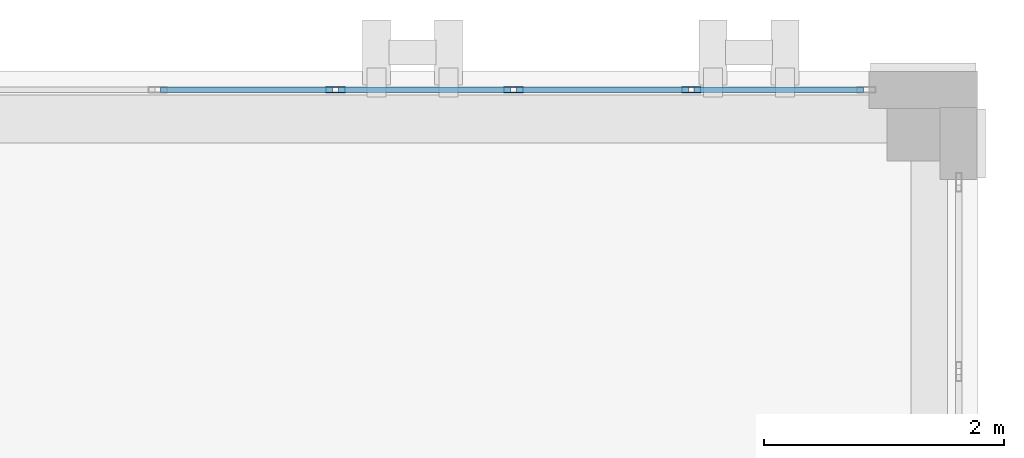
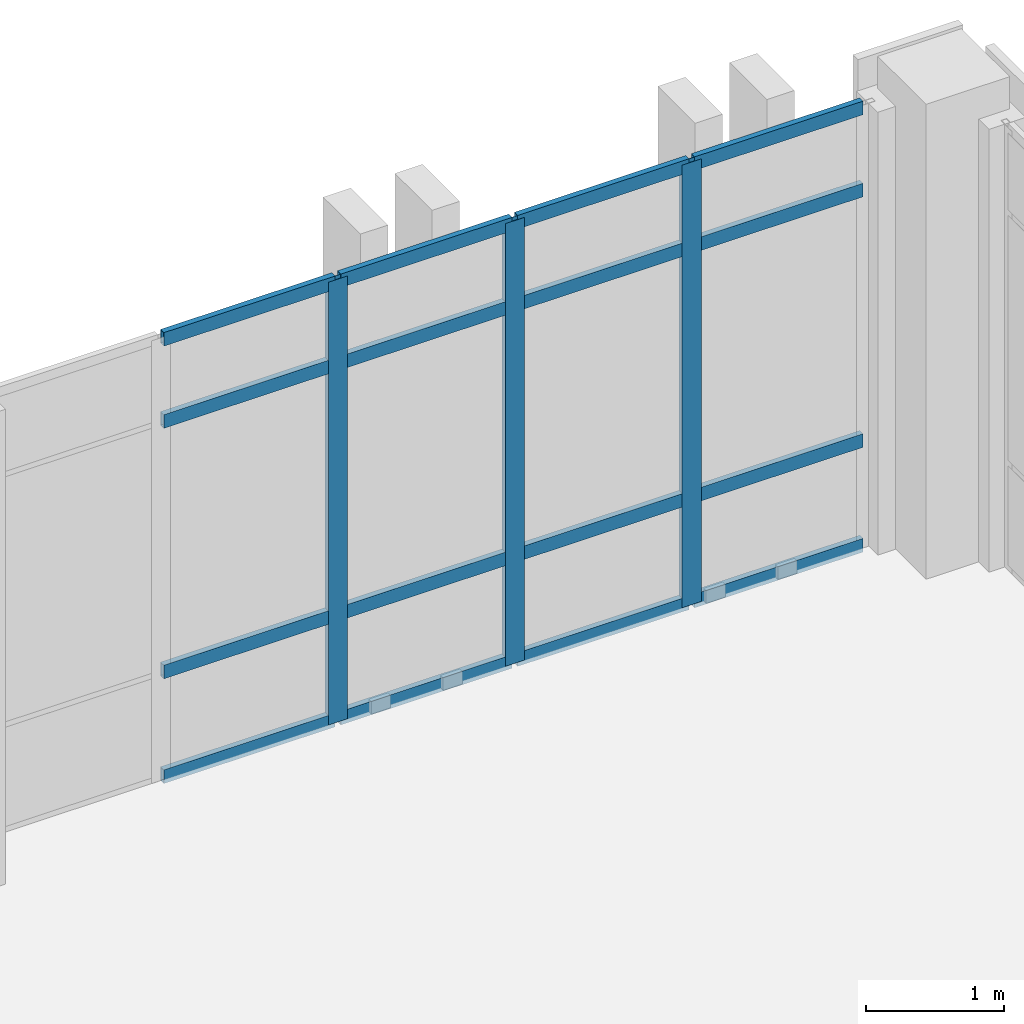
# One storey, part 99 of 193: 19 members, 1 element without a shape of its own.
"""IFC4 building model written with IfcOpenShell, lengths in metres."""

from ifc_helpers import new_model, si_unit, direction, frame, origin, origin_2d, place, context, subcontext, project, spatial, hollow_rectangle, extrude, material, layer, layer_set, material_profile, profile_set, type_object, element, aggregate, save


model = new_model("IFC4")

# Units and contexts
model_context = context("Model", 3, precision=1e-05, world=origin(), true_north=direction((0.0, 1.0)))
body_context = subcontext(model_context, "Body", "Model", "MODEL_VIEW")
ifc_project = project(units=[si_unit("LENGTHUNIT", "METRE"), si_unit("AREAUNIT", "SQUARE_METRE"), si_unit("VOLUMEUNIT", "CUBIC_METRE"), si_unit("PLANEANGLEUNIT", "RADIAN"), si_unit("MASSUNIT", "GRAM", prefix="KILO")], contexts=[model_context])

# Site, building, storey
site_placement = place(None, origin())
site = spatial("IfcSite", under=ifc_project, at=site_placement, CompositionType="ELEMENT")
building_placement = place(site_placement, origin())
building = spatial("IfcBuilding", under=site, at=building_placement, Name="Qalavern Law Courts", CompositionType="ELEMENT")
storey_placement = place(building_placement, frame((0.0, 0.0, 10.199951171875)))
storey = spatial("IfcBuildingStorey", under=building, at=storey_placement, Name="L02", CompositionType="ELEMENT", Elevation=10.199951171875)

# Curtain wall, members
ifc_material_1 = material(Name="Anodised aluminium and insulated glazing", Category="aluminium")
ifc_layer = layer(ifc_material_1, 0.166015625)
ifc_layer_set = layer_set([ifc_layer], Name="Anodised aluminium and insulated glazing")
curtain_wall_type = type_object("IfcCurtainWallType", Name="ENV-CW-LIB", PredefinedType="USERDEFINED", material=ifc_layer_set)
curtain_wall_placement = place(storey_placement, origin())
curtain_wall = element("IfcCurtainWall", 1, at=curtain_wall_placement, inside=storey, type_object=curtain_wall_type, Name="V5 unitised curtain wall L02 north 1", ObjectType="UNITISED CURTAIN WALL", PredefinedType="USERDEFINED")
ifc_material_2 = material(Name="Anodised aluminium", Category="aluminium")
ifc_material_profile_1 = material_profile(ifc_material_2, hollow_rectangle(XDim=0.048095703125, YDim=0.159912109375, WallThickness=0.00390625, at=origin_2d()), Name="ALU MULLION 48x160")
ifc_profile_set_1 = profile_set([ifc_material_profile_1], Name="Anodised aluminium")
member_type_1 = type_object("IfcMemberType", Name="ENV-CWM-48x160", PredefinedType="MULLION", material=ifc_profile_set_1)
member_1_placement = place(storey_placement, frame((64.419921875, 112.844970703125, 0.0), z_axis=(0.0, 0.0, 1.0), x_axis=(0.0, -1.0, 0.0)))
member_1 = element("IfcMember", 2, at=member_1_placement, type_object=member_type_1, Name="CW-05 mullion 2", PredefinedType="MULLION", context=body_context, shape_type="SweptSolid", body=[
    extrude(hollow_rectangle(XDim=0.048095703125, YDim=0.159912109375, WallThickness=0.00390625, at=origin_2d()), origin(), (0.0, 0.0, 1.0), 3.9150390625),
])
member_2_placement = place(storey_placement, frame((62.93994140625, 112.844970703125, 0.0), z_axis=(0.0, 0.0, 1.0), x_axis=(0.0, -1.0, 0.0)))
member_2 = element("IfcMember", 3, at=member_2_placement, type_object=member_type_1, Name="CW-05 mullion 3", PredefinedType="MULLION", context=body_context, shape_type="SweptSolid", body=[
    extrude(hollow_rectangle(XDim=0.048095703125, YDim=0.159912109375, WallThickness=0.00390625, at=origin_2d()), origin(), (0.0, 0.0, 1.0), 3.9150390625),
])
member_3_placement = place(storey_placement, frame((61.4599609375, 112.844970703125, 0.0), z_axis=(0.0, 0.0, 1.0), x_axis=(0.0, -1.0, 0.0)))
member_3 = element("IfcMember", 4, at=member_3_placement, type_object=member_type_1, Name="CW-05 mullion 4", PredefinedType="MULLION", context=body_context, shape_type="SweptSolid", body=[
    extrude(hollow_rectangle(XDim=0.048095703125, YDim=0.159912109375, WallThickness=0.00390625, at=origin_2d()), origin(), (0.0, 0.0, 1.0), 3.9150390625),
])
ifc_material_profile_2 = material_profile(ifc_material_2, hollow_rectangle(XDim=0.048095703125, YDim=0.1201171875, WallThickness=0.00390625, at=origin_2d()), Name="ALU TRANSOM 48x120")
ifc_profile_set_2 = profile_set([ifc_material_profile_2], Name="Anodised aluminium")
member_type_2 = type_object("IfcMemberType", Name="ENV-CWT-48x120", PredefinedType="USERDEFINED", material=ifc_profile_set_2)
member_4_placement = place(storey_placement, frame((65.85205078125, 112.844970703125, 0.024169921875), z_axis=(-1.0, 0.0, 0.0), x_axis=(0.0, -1.0, 0.0)))
member_4 = element("IfcMember", 5, at=member_4_placement, type_object=member_type_2, Name="CW-05 transom 1.1", ObjectType="TRANSOM", PredefinedType="USERDEFINED", context=body_context, shape_type="SweptSolid", body=[
    extrude(hollow_rectangle(XDim=0.048095703125, YDim=0.1201171875, WallThickness=0.00390625, at=origin_2d()), origin(), (0.0, 0.0, 1.0), 1.407958984375),
])
member_5_placement = place(storey_placement, frame((65.85205078125, 112.844970703125, 0.949951171875), z_axis=(-1.0, 0.0, 0.0), x_axis=(0.0, -1.0, 0.0)))
member_5 = element("IfcMember", 6, at=member_5_placement, type_object=member_type_2, Name="CW-05 transom 1.2", ObjectType="TRANSOM", PredefinedType="USERDEFINED", context=body_context, shape_type="SweptSolid", body=[
    extrude(hollow_rectangle(XDim=0.048095703125, YDim=0.1201171875, WallThickness=0.00390625, at=origin_2d()), origin(), (0.0, 0.0, 1.0), 1.407958984375),
])
member_6_placement = place(storey_placement, frame((65.85205078125, 112.844970703125, 3.1650390625), z_axis=(-1.0, 0.0, 0.0), x_axis=(0.0, -1.0, 0.0)))
member_6 = element("IfcMember", 7, at=member_6_placement, type_object=member_type_2, Name="CW-05 transom 1.3", ObjectType="TRANSOM", PredefinedType="USERDEFINED", context=body_context, shape_type="SweptSolid", body=[
    extrude(hollow_rectangle(XDim=0.048095703125, YDim=0.1201171875, WallThickness=0.00390625, at=origin_2d()), origin(), (0.0, 0.0, 1.0), 1.407958984375),
])
member_7_placement = place(storey_placement, frame((65.85205078125, 112.844970703125, 3.89111328125), z_axis=(-1.0, 0.0, 0.0), x_axis=(0.0, -1.0, 0.0)))
member_7 = element("IfcMember", 8, at=member_7_placement, type_object=member_type_2, Name="CW-05 transom 1.4", ObjectType="TRANSOM", PredefinedType="USERDEFINED", context=body_context, shape_type="SweptSolid", body=[
    extrude(hollow_rectangle(XDim=0.048095703125, YDim=0.1201171875, WallThickness=0.00390625, at=origin_2d()), origin(), (0.0, 0.0, 1.0), 1.407958984375),
])
member_8_placement = place(storey_placement, frame((64.39599609375, 112.844970703125, 0.024169921875), z_axis=(-1.0, 0.0, 0.0), x_axis=(0.0, -1.0, 0.0)))
member_8 = element("IfcMember", 9, at=member_8_placement, type_object=member_type_2, Name="CW-05 transom 2.1", ObjectType="TRANSOM", PredefinedType="USERDEFINED", context=body_context, shape_type="SweptSolid", body=[
    extrude(hollow_rectangle(XDim=0.048095703125, YDim=0.1201171875, WallThickness=0.00390625, at=origin_2d()), origin(), (0.0, 0.0, 1.0), 1.431884765625),
])
member_9_placement = place(storey_placement, frame((64.39599609375, 112.844970703125, 0.949951171875), z_axis=(-1.0, 0.0, 0.0), x_axis=(0.0, -1.0, 0.0)))
member_9 = element("IfcMember", 10, at=member_9_placement, type_object=member_type_2, Name="CW-05 transom 2.2", ObjectType="TRANSOM", PredefinedType="USERDEFINED", context=body_context, shape_type="SweptSolid", body=[
    extrude(hollow_rectangle(XDim=0.048095703125, YDim=0.1201171875, WallThickness=0.00390625, at=origin_2d()), origin(), (0.0, 0.0, 1.0), 1.431884765625),
])
member_10_placement = place(storey_placement, frame((64.39599609375, 112.844970703125, 3.1650390625), z_axis=(-1.0, 0.0, 0.0), x_axis=(0.0, -1.0, 0.0)))
member_10 = element("IfcMember", 11, at=member_10_placement, type_object=member_type_2, Name="CW-05 transom 2.3", ObjectType="TRANSOM", PredefinedType="USERDEFINED", context=body_context, shape_type="SweptSolid", body=[
    extrude(hollow_rectangle(XDim=0.048095703125, YDim=0.1201171875, WallThickness=0.00390625, at=origin_2d()), origin(), (0.0, 0.0, 1.0), 1.431884765625),
])
member_11_placement = place(storey_placement, frame((64.39599609375, 112.844970703125, 3.89111328125), z_axis=(-1.0, 0.0, 0.0), x_axis=(0.0, -1.0, 0.0)))
member_11 = element("IfcMember", 12, at=member_11_placement, type_object=member_type_2, Name="CW-05 transom 2.4", ObjectType="TRANSOM", PredefinedType="USERDEFINED", context=body_context, shape_type="SweptSolid", body=[
    extrude(hollow_rectangle(XDim=0.048095703125, YDim=0.1201171875, WallThickness=0.00390625, at=origin_2d()), origin(), (0.0, 0.0, 1.0), 1.431884765625),
])
member_12_placement = place(storey_placement, frame((62.916015625, 112.844970703125, 0.024169921875), z_axis=(-1.0, 0.0, 0.0), x_axis=(0.0, -1.0, 0.0)))
member_12 = element("IfcMember", 13, at=member_12_placement, type_object=member_type_2, Name="CW-05 transom 3.1", ObjectType="TRANSOM", PredefinedType="USERDEFINED", context=body_context, shape_type="SweptSolid", body=[
    extrude(hollow_rectangle(XDim=0.048095703125, YDim=0.1201171875, WallThickness=0.00390625, at=origin_2d()), origin(), (0.0, 0.0, 1.0), 1.43212890625),
])
member_13_placement = place(storey_placement, frame((62.916015625, 112.844970703125, 0.949951171875), z_axis=(-1.0, 0.0, 0.0), x_axis=(0.0, -1.0, 0.0)))
member_13 = element("IfcMember", 14, at=member_13_placement, type_object=member_type_2, Name="CW-05 transom 3.2", ObjectType="TRANSOM", PredefinedType="USERDEFINED", context=body_context, shape_type="SweptSolid", body=[
    extrude(hollow_rectangle(XDim=0.048095703125, YDim=0.1201171875, WallThickness=0.00390625, at=origin_2d()), origin(), (0.0, 0.0, 1.0), 1.43212890625),
])
member_14_placement = place(storey_placement, frame((62.916015625, 112.844970703125, 3.1650390625), z_axis=(-1.0, 0.0, 0.0), x_axis=(0.0, -1.0, 0.0)))
member_14 = element("IfcMember", 15, at=member_14_placement, type_object=member_type_2, Name="CW-05 transom 3.3", ObjectType="TRANSOM", PredefinedType="USERDEFINED", context=body_context, shape_type="SweptSolid", body=[
    extrude(hollow_rectangle(XDim=0.048095703125, YDim=0.1201171875, WallThickness=0.00390625, at=origin_2d()), origin(), (0.0, 0.0, 1.0), 1.43212890625),
])
member_15_placement = place(storey_placement, frame((62.916015625, 112.844970703125, 3.89111328125), z_axis=(-1.0, 0.0, 0.0), x_axis=(0.0, -1.0, 0.0)))
member_15 = element("IfcMember", 16, at=member_15_placement, type_object=member_type_2, Name="CW-05 transom 3.4", ObjectType="TRANSOM", PredefinedType="USERDEFINED", context=body_context, shape_type="SweptSolid", body=[
    extrude(hollow_rectangle(XDim=0.048095703125, YDim=0.1201171875, WallThickness=0.00390625, at=origin_2d()), origin(), (0.0, 0.0, 1.0), 1.43212890625),
])
member_16_placement = place(storey_placement, frame((61.43603515625, 112.844970703125, 0.024169921875), z_axis=(-1.0, 0.0, 0.0), x_axis=(0.0, -1.0, 0.0)))
member_16 = element("IfcMember", 17, at=member_16_placement, type_object=member_type_2, Name="CW-05 transom 4.1", ObjectType="TRANSOM", PredefinedType="USERDEFINED", context=body_context, shape_type="SweptSolid", body=[
    extrude(hollow_rectangle(XDim=0.048095703125, YDim=0.1201171875, WallThickness=0.00390625, at=origin_2d()), origin(), (0.0, 0.0, 1.0), 1.43212890625),
])
member_17_placement = place(storey_placement, frame((61.43603515625, 112.844970703125, 0.949951171875), z_axis=(-1.0, 0.0, 0.0), x_axis=(0.0, -1.0, 0.0)))
member_17 = element("IfcMember", 18, at=member_17_placement, type_object=member_type_2, Name="CW-05 transom 4.2", ObjectType="TRANSOM", PredefinedType="USERDEFINED", context=body_context, shape_type="SweptSolid", body=[
    extrude(hollow_rectangle(XDim=0.048095703125, YDim=0.1201171875, WallThickness=0.00390625, at=origin_2d()), origin(), (0.0, 0.0, 1.0), 1.43212890625),
])
member_18_placement = place(storey_placement, frame((61.43603515625, 112.844970703125, 3.1650390625), z_axis=(-1.0, 0.0, 0.0), x_axis=(0.0, -1.0, 0.0)))
member_18 = element("IfcMember", 19, at=member_18_placement, type_object=member_type_2, Name="CW-05 transom 4.3", ObjectType="TRANSOM", PredefinedType="USERDEFINED", context=body_context, shape_type="SweptSolid", body=[
    extrude(hollow_rectangle(XDim=0.048095703125, YDim=0.1201171875, WallThickness=0.00390625, at=origin_2d()), origin(), (0.0, 0.0, 1.0), 1.43212890625),
])
member_19_placement = place(storey_placement, frame((61.43603515625, 112.844970703125, 3.89111328125), z_axis=(-1.0, 0.0, 0.0), x_axis=(0.0, -1.0, 0.0)))
member_19 = element("IfcMember", 20, at=member_19_placement, type_object=member_type_2, Name="CW-05 transom 4.4", ObjectType="TRANSOM", PredefinedType="USERDEFINED", context=body_context, shape_type="SweptSolid", body=[
    extrude(hollow_rectangle(XDim=0.048095703125, YDim=0.1201171875, WallThickness=0.00390625, at=origin_2d()), origin(), (0.0, 0.0, 1.0), 1.43212890625),
])
aggregate(curtain_wall, [member_1, member_2, member_3, member_4, member_5, member_6, member_7, member_8, member_9, member_10, member_11, member_12, member_13, member_14, member_15, member_16, member_17, member_18, member_19])

save(model, "model.ifc")
